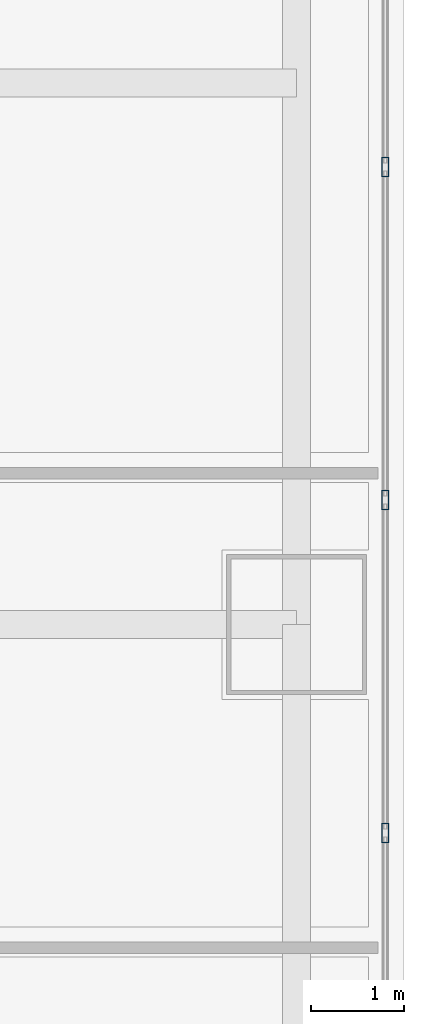
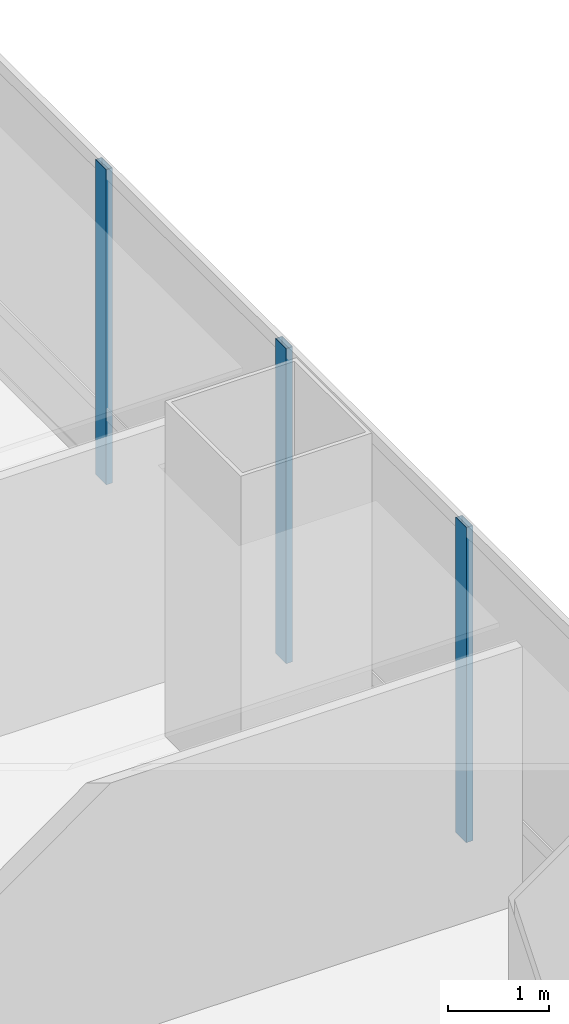
# One storey, part 16 of 37: 3 members, 1 element without a shape of its own.
"""IFC4 building model written with IfcOpenShell, lengths in metres."""

from ifc_helpers import new_model, si_unit, direction, frame, origin, origin_2d, place, context, subcontext, project, spatial, hollow_rectangle, extrude, material, material_profile, profile_set, type_object, element, aggregate, save


model = new_model("IFC4")

# Units and contexts
model_context = context("Model", 3, precision=1e-05, world=origin(), true_north=direction((0.0, 1.0)))
body_context = subcontext(model_context, "Body", "Model", "MODEL_VIEW")
ifc_project = project(units=[si_unit("LENGTHUNIT", "METRE"), si_unit("AREAUNIT", "SQUARE_METRE"), si_unit("VOLUMEUNIT", "CUBIC_METRE"), si_unit("PLANEANGLEUNIT", "RADIAN"), si_unit("MASSUNIT", "GRAM", prefix="KILO")], contexts=[model_context])

# Site, building, storey
site_placement = place(None, origin())
site = spatial("IfcSite", under=ifc_project, at=site_placement, CompositionType="ELEMENT")
building_placement = place(site_placement, origin())
building = spatial("IfcBuilding", under=site, at=building_placement, Name="Punatoya Terracotta Tower", CompositionType="ELEMENT")
storey_placement = place(building_placement, frame((0.0, 0.0, 44.39990234375)))
storey = spatial("IfcBuildingStorey", under=building, at=storey_placement, Name="L09", CompositionType="ELEMENT", Elevation=44.39990234375)

# Curtain wall, members
ifc_material_1 = material(Name="Aluminium 6063-T6 + Double Low-E Glass", Category="aluminium")
curtain_wall_type = type_object("IfcCurtainWallType", Name="CW-M1", PredefinedType="NOTDEFINED", material=ifc_material_1)
curtain_wall_placement = place(storey_placement, origin())
curtain_wall = element("IfcCurtainWall", 1, at=curtain_wall_placement, inside=storey, type_object=curtain_wall_type, Name="L09 Curtain Wall CW-L09-E05-1", PredefinedType="NOTDEFINED")
ifc_material_2 = material(Name="Aluminium 6063-T6", Category="aluminium")
ifc_material_profile = material_profile(ifc_material_2, hollow_rectangle(XDim=0.074951171875, YDim=0.2099609375, WallThickness=0.00439453125, at=origin_2d()))
ifc_profile_set = profile_set([ifc_material_profile], Name="Aluminium 6063-T6")
member_type = type_object("IfcMemberType", Name="CW-MUL-M1", PredefinedType="MULLION", material=ifc_profile_set)
member_1_placement = place(storey_placement, frame((20.050048828125, 1.16748046875, 0.0), z_axis=(0.0, 0.0, 1.0), x_axis=(1.0, 0.0, 0.0)))
member_1 = element("IfcMember", 2, at=member_1_placement, type_object=member_type, Name="CW-L09-E05-1 Mullion 06", PredefinedType="MULLION", context=body_context, shape_type="SweptSolid", body=[
    extrude(hollow_rectangle(XDim=0.074951171875, YDim=0.2099609375, WallThickness=0.00439453125, at=origin_2d()), origin(), (0.0, 0.0, 1.0), 3.81005859375),
])
member_2_placement = place(storey_placement, frame((20.050048828125, 4.73486328125, 0.0), z_axis=(0.0, 0.0, 1.0), x_axis=(1.0, 0.0, 0.0)))
member_2 = element("IfcMember", 3, at=member_2_placement, type_object=member_type, Name="CW-L09-E05-1 Mullion 07", PredefinedType="MULLION", context=body_context, shape_type="SweptSolid", body=[
    extrude(hollow_rectangle(XDim=0.074951171875, YDim=0.2099609375, WallThickness=0.00439453125, at=origin_2d()), origin(), (0.0, 0.0, 1.0), 3.81005859375),
])
member_3_placement = place(storey_placement, frame((20.050048828125, 8.302001953125, 0.0), z_axis=(0.0, 0.0, 1.0), x_axis=(1.0, 0.0, 0.0)))
member_3 = element("IfcMember", 4, at=member_3_placement, type_object=member_type, Name="CW-L09-E05-1 Mullion 08", PredefinedType="MULLION", context=body_context, shape_type="SweptSolid", body=[
    extrude(hollow_rectangle(XDim=0.074951171875, YDim=0.2099609375, WallThickness=0.00439453125, at=origin_2d()), origin(), (0.0, 0.0, 1.0), 3.81005859375),
])
aggregate(curtain_wall, [member_1, member_2, member_3])

save(model, "model.ifc")
